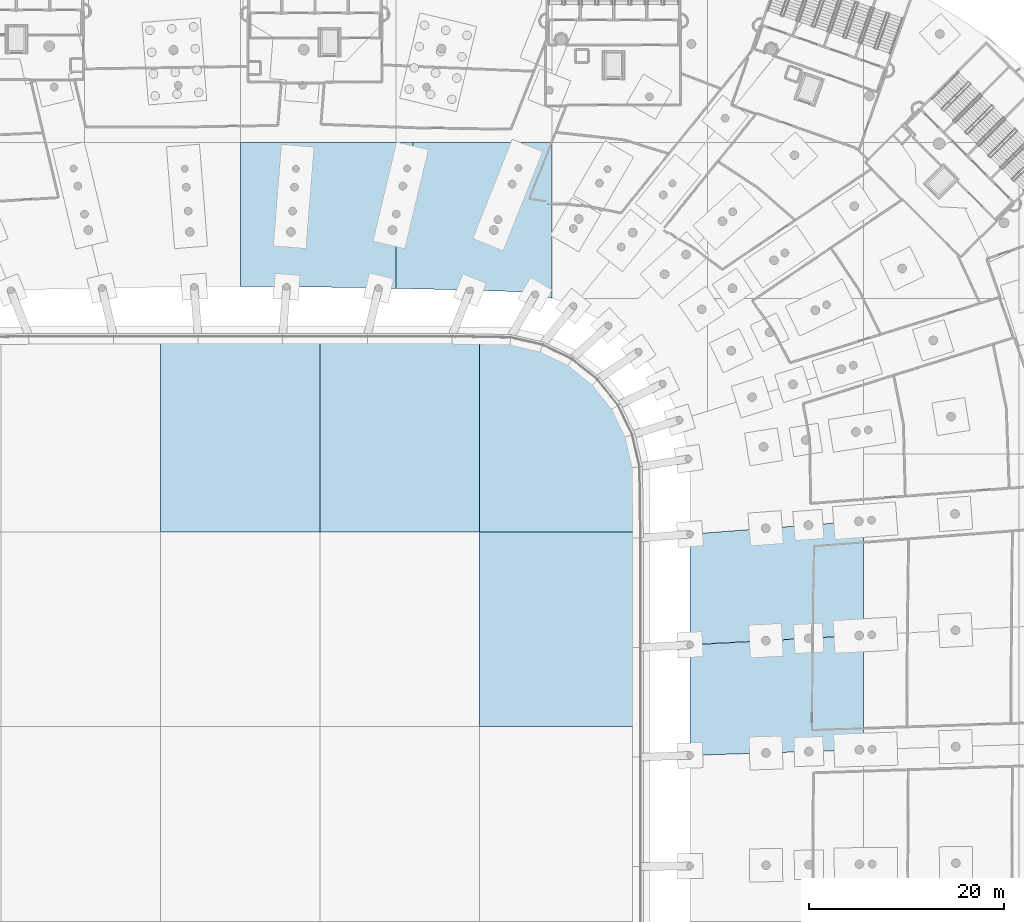
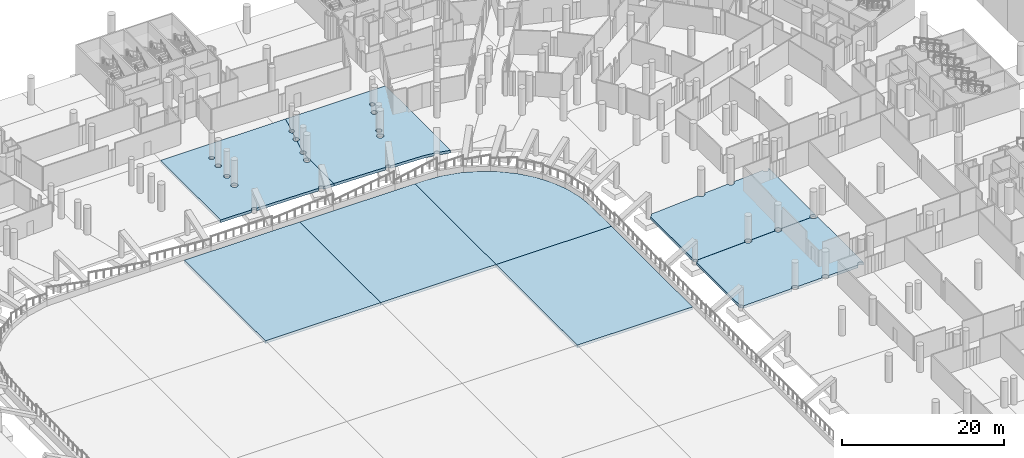
# One storey, part 30 of 142: 8 slabs.
"""IFC4 building model written with IfcOpenShell, lengths in metres."""

from ifc_helpers import new_model, si_unit, direction, frame, origin, place, context, subcontext, project, spatial, polyline, outline, extrude, material, layer, layer_set, type_object, element, save


model = new_model("IFC4")

# Units and contexts
model_context = context("Model", 3, precision=1e-05, world=origin(), true_north=direction((0.0, 1.0)))
body_context = subcontext(model_context, "Body", "Model", "MODEL_VIEW")
ifc_project = project(units=[si_unit("LENGTHUNIT", "METRE"), si_unit("AREAUNIT", "SQUARE_METRE"), si_unit("VOLUMEUNIT", "CUBIC_METRE"), si_unit("PLANEANGLEUNIT", "RADIAN"), si_unit("MASSUNIT", "GRAM", prefix="KILO")], contexts=[model_context])

# Site, building, storey
site_placement = place(None, origin())
site = spatial("IfcSite", under=ifc_project, at=site_placement, CompositionType="ELEMENT")
building_placement = place(site_placement, origin())
building = spatial("IfcBuilding", under=site, at=building_placement, Name="Meseta Stadium", CompositionType="ELEMENT")
storey_placement = place(building_placement, frame((0.0, 0.0, -4.0)))
storey = spatial("IfcBuildingStorey", under=building, at=storey_placement, Name="B1", CompositionType="ELEMENT", Elevation=-4.0)

# Slabs
ifc_material_1 = material(Name="Concrete C30/37", Category="concrete")
ifc_layer_1 = layer(ifc_material_1, 0.39990234375)
ifc_layer_set_1 = layer_set([ifc_layer_1], Name="Base slab 400")
slab_type_1 = type_object("IfcSlabType", Name="Base slab 400", PredefinedType="BASESLAB", material=ifc_layer_set_1)
slab_1_placement = place(storey_placement, frame((0.0, 0.0, -0.39990234375)))
element("IfcSlab", 1, at=slab_1_placement, inside=storey, type_object=slab_type_1, Name="Base slab B1 sector 00 panel 03", PredefinedType="BASESLAB", context=body_context, shape_type="SweptSolid", body=[
    extrude(outline(polyline([(46.44580078125, 17.294677734375), (46.489501953125, 17.241455078125), (46.522216796875, 17.180419921875), (46.5419921875, 17.114501953125), (46.5478515625, 17.0576171875), (53.542236328125, 17.28759765625), (53.540771484375, 17.302490234375), (53.549560546875, 17.390625), (53.5751953125, 17.475341796875), (53.616943359375, 17.5537109375), (53.673095703125, 17.6220703125), (53.74169921875, 17.678466796875), (53.81982421875, 17.72021484375), (53.90478515625, 17.745849609375), (53.992919921875, 17.754638671875), (54.081298828125, 17.745849609375), (54.166015625, 17.72021484375), (54.244140625, 17.678466796875), (54.312744140625, 17.6220703125), (54.368896484375, 17.5537109375), (54.41064453125, 17.475341796875), (54.4365234375, 17.390625), (54.443603515625, 17.317138671875), (57.93994140625, 17.43212890625), (57.9384765625, 17.447021484375), (57.947021484375, 17.535400390625), (57.972900390625, 17.6201171875), (58.0146484375, 17.6982421875), (58.07080078125, 17.766845703125), (58.139404296875, 17.822998046875), (58.217529296875, 17.86474609375), (58.302490234375, 17.890380859375), (58.390625, 17.899169921875), (58.478759765625, 17.890380859375), (58.563720703125, 17.86474609375), (58.641845703125, 17.822998046875), (58.710205078125, 17.766845703125), (58.7666015625, 17.6982421875), (58.808349609375, 17.6201171875), (58.833984375, 17.535400390625), (58.84130859375, 17.4619140625), (63.13720703125, 17.603271484375), (63.135498046875, 17.617919921875), (63.144287109375, 17.706298828125), (63.169921875, 17.791015625), (63.2119140625, 17.869140625), (63.26806640625, 17.937744140625), (63.336669921875, 17.993896484375), (63.414794921875, 18.035888671875), (63.49951171875, 18.0615234375), (63.587890625, 18.0703125), (63.676025390625, 18.0615234375), (63.7607421875, 18.035888671875), (63.839111328125, 17.993896484375), (63.907470703125, 17.937744140625), (63.9638671875, 17.869140625), (64.0, 17.801513671875), (64.0, 29.2421875), (63.98388671875, 29.189208984375), (63.942138671875, 29.111083984375), (63.8857421875, 29.04248046875), (63.8173828125, 28.986083984375), (63.7392578125, 28.9443359375), (63.654296875, 28.918701171875), (63.566162109375, 28.909912109375), (63.477783203125, 28.918701171875), (63.39306640625, 28.9443359375), (63.31494140625, 28.986083984375), (63.246337890625, 29.04248046875), (63.190185546875, 29.111083984375), (63.1484375, 29.189208984375), (63.12255859375, 29.27392578125), (63.1171875, 29.32763671875), (58.82470703125, 29.09228515625), (58.826171875, 29.077392578125), (58.8173828125, 28.9892578125), (58.791748046875, 28.904541015625), (58.75, 28.826416015625), (58.693603515625, 28.7578125), (58.625, 28.701416015625), (58.546875, 28.659912109375), (58.462158203125, 28.634033203125), (58.373779296875, 28.625244140625), (58.28564453125, 28.634033203125), (58.200927734375, 28.659912109375), (58.122802734375, 28.701416015625), (58.05419921875, 28.7578125), (57.997802734375, 28.826416015625), (57.956298828125, 28.904541015625), (57.930419921875, 28.9892578125), (57.925048828125, 29.04296875), (54.43115234375, 28.851318359375), (54.4326171875, 28.836669921875), (54.424072265625, 28.748291015625), (54.398193359375, 28.66357421875), (54.3564453125, 28.58544921875), (54.30029296875, 28.516845703125), (54.231689453125, 28.460693359375), (54.153564453125, 28.4189453125), (54.068603515625, 28.393310546875), (53.98046875, 28.384521484375), (53.892333984375, 28.393310546875), (53.8076171875, 28.4189453125), (53.729248046875, 28.460693359375), (53.660888671875, 28.516845703125), (53.6044921875, 28.58544921875), (53.562744140625, 28.66357421875), (53.537109375, 28.748291015625), (53.53173828125, 28.802001953125), (46.54296875, 28.4189453125), (46.5439453125, 28.40966796875), (46.537109375, 28.341064453125), (46.51708984375, 28.275146484375), (46.484619140625, 28.21435546875), (46.44091796875, 28.160888671875), (46.3876953125, 28.1171875), (46.326904296875, 28.084716796875), (46.2607421875, 28.064697265625), (46.1923828125, 28.05810546875), (46.197021484375, 17.397705078125), (46.265869140625, 17.390869140625), (46.331787109375, 17.370849609375), (46.392578125, 17.33837890625), (46.44580078125, 17.294677734375)])), origin(), (0.0, 0.0, 1.0), 0.39990234375),
])
slab_2_placement = place(storey_placement, frame((0.0, 0.0, -0.39990234375)))
element("IfcSlab", 2, at=slab_2_placement, inside=storey, type_object=slab_type_1, Name="Base slab B1 sector 07 panel 03", PredefinedType="BASESLAB", context=body_context, shape_type="SweptSolid", body=[
    extrude(outline(polyline([(46.2607421875, 28.754638671875), (46.326904296875, 28.734619140625), (46.3876953125, 28.7021484375), (46.44091796875, 28.658203125), (46.484619140625, 28.60498046875), (46.51708984375, 28.544189453125), (46.537109375, 28.478271484375), (46.541015625, 28.438720703125), (53.52978515625, 28.822021484375), (53.5283203125, 28.836669921875), (53.537109375, 28.9248046875), (53.562744140625, 29.009765625), (53.6044921875, 29.087890625), (53.660888671875, 29.156494140625), (53.729248046875, 29.212646484375), (53.8076171875, 29.25439453125), (53.892333984375, 29.280029296875), (53.98046875, 29.288818359375), (54.068603515625, 29.280029296875), (54.153564453125, 29.25439453125), (54.231689453125, 29.212646484375), (54.30029296875, 29.156494140625), (54.3564453125, 29.087890625), (54.398193359375, 29.009765625), (54.424072265625, 28.9248046875), (54.42919921875, 28.871337890625), (57.923095703125, 29.062744140625), (57.921630859375, 29.077392578125), (57.930419921875, 29.165771484375), (57.956298828125, 29.25048828125), (57.997802734375, 29.32861328125), (58.05419921875, 29.397216796875), (58.122802734375, 29.45361328125), (58.200927734375, 29.495361328125), (58.28564453125, 29.52099609375), (58.373779296875, 29.52978515625), (58.462158203125, 29.52099609375), (58.546875, 29.495361328125), (58.625, 29.45361328125), (58.693603515625, 29.397216796875), (58.75, 29.32861328125), (58.791748046875, 29.25048828125), (58.8173828125, 29.165771484375), (58.82275390625, 29.112060546875), (63.115478515625, 29.347412109375), (63.114013671875, 29.3623046875), (63.12255859375, 29.450439453125), (63.1484375, 29.53515625), (63.190185546875, 29.61328125), (63.246337890625, 29.681884765625), (63.31494140625, 29.738037109375), (63.39306640625, 29.77978515625), (63.477783203125, 29.8056640625), (63.566162109375, 29.814453125), (63.654296875, 29.8056640625), (63.7392578125, 29.77978515625), (63.8173828125, 29.738037109375), (63.8857421875, 29.681884765625), (63.942138671875, 29.61328125), (63.98388671875, 29.53515625), (64.0, 29.482177734375), (64.0, 41.140380859375), (63.982421875, 41.138916015625), (63.98583984375, 41.1044921875), (63.977294921875, 41.016357421875), (63.951416015625, 40.931396484375), (63.90966796875, 40.853271484375), (63.853515625, 40.784912109375), (63.784912109375, 40.728515625), (63.706787109375, 40.686767578125), (63.621826171875, 40.6611328125), (63.53369140625, 40.65234375), (63.445556640625, 40.6611328125), (63.360595703125, 40.686767578125), (63.282470703125, 40.728515625), (63.214111328125, 40.784912109375), (63.15771484375, 40.853271484375), (63.115966796875, 40.931396484375), (63.090087890625, 41.016357421875), (63.0849609375, 41.070068359375), (58.797607421875, 40.7412109375), (58.801025390625, 40.70654296875), (58.79248046875, 40.618408203125), (58.7666015625, 40.53369140625), (58.724853515625, 40.455322265625), (58.668701171875, 40.386962890625), (58.60009765625, 40.33056640625), (58.52197265625, 40.288818359375), (58.437255859375, 40.26318359375), (58.34912109375, 40.25439453125), (58.2607421875, 40.26318359375), (58.17578125, 40.288818359375), (58.097900390625, 40.33056640625), (58.029296875, 40.386962890625), (57.972900390625, 40.455322265625), (57.93115234375, 40.53369140625), (57.905517578125, 40.618408203125), (57.900146484375, 40.672119140625), (54.41064453125, 40.404296875), (54.4140625, 40.369873046875), (54.405517578125, 40.28173828125), (54.379638671875, 40.19677734375), (54.337890625, 40.11865234375), (54.281494140625, 40.050048828125), (54.213134765625, 39.993896484375), (54.135009765625, 39.9521484375), (54.050048828125, 39.926513671875), (53.9619140625, 39.917724609375), (53.873779296875, 39.926513671875), (53.788818359375, 39.9521484375), (53.710693359375, 39.993896484375), (53.64208984375, 40.050048828125), (53.5859375, 40.11865234375), (53.544189453125, 40.19677734375), (53.518310546875, 40.28173828125), (53.51318359375, 40.33544921875), (46.53369140625, 39.7998046875), (46.536376953125, 39.77294921875), (46.52978515625, 39.704345703125), (46.509765625, 39.638427734375), (46.477294921875, 39.57763671875), (46.433349609375, 39.5244140625), (46.380126953125, 39.48046875), (46.3193359375, 39.447998046875), (46.25341796875, 39.427978515625), (46.18505859375, 39.42138671875), (46.19189453125, 28.76123046875), (46.2607421875, 28.754638671875)])), origin(), (0.0, 0.0, 1.0), 0.39990234375),
])
slab_3_placement = place(storey_placement, frame((0.0, 0.0, -0.39990234375)))
element("IfcSlab", 3, at=slab_3_placement, inside=storey, type_object=slab_type_1, Name="Base slab B1 sector 14 panel 09", PredefinedType="BASESLAB", context=body_context, shape_type="SweptSolid", body=[
    extrude(outline(polyline([(3.16357421875, 65.192626953125), (4.393310546875, 65.185791015625), (4.39990234375, 65.252197265625), (4.419921875, 65.318359375), (4.452392578125, 65.379150390625), (4.49609375, 65.432373046875), (4.54931640625, 65.47607421875), (4.610107421875, 65.508544921875), (4.676025390625, 65.528564453125), (4.74462890625, 65.535400390625), (4.8134765625, 65.528564453125), (4.87939453125, 65.508544921875), (4.940185546875, 65.47607421875), (4.993408203125, 65.432373046875), (5.037109375, 65.379150390625), (5.069580078125, 65.318359375), (5.089599609375, 65.252197265625), (5.09619140625, 65.180908203125), (6.324951171875, 65.171142578125), (7.904052734375, 65.155029296875), (9.48193359375, 65.1357421875), (11.05810546875, 65.113037109375), (12.632080078125, 65.08740234375), (13.853515625, 65.06494140625), (13.859619140625, 65.127197265625), (13.87939453125, 65.193115234375), (13.912109375, 65.25390625), (13.955810546875, 65.307373046875), (14.009033203125, 65.35107421875), (14.06982421875, 65.383544921875), (14.1357421875, 65.403564453125), (14.204345703125, 65.410400390625), (14.27294921875, 65.403564453125), (14.339111328125, 65.383544921875), (14.39990234375, 65.35107421875), (14.453125, 65.307373046875), (14.496826171875, 65.25390625), (14.529296875, 65.193115234375), (14.54931640625, 65.127197265625), (14.55615234375, 65.05859375), (14.555419921875, 65.051513671875), (16.0, 65.022216796875), (16.0, 70.762939453125), (15.9970703125, 70.757568359375), (15.94091796875, 70.689208984375), (15.872314453125, 70.6328125), (15.794189453125, 70.591064453125), (15.70947265625, 70.5654296875), (15.62109375, 70.556640625), (15.532958984375, 70.5654296875), (15.447998046875, 70.591064453125), (15.369873046875, 70.6328125), (15.301513671875, 70.689208984375), (15.2451171875, 70.757568359375), (15.203369140625, 70.835693359375), (15.177734375, 70.920654296875), (15.1689453125, 71.0087890625), (15.177734375, 71.09716796875), (15.203369140625, 71.181884765625), (15.2451171875, 71.260009765625), (15.301513671875, 71.32861328125), (15.369873046875, 71.384765625), (15.447998046875, 71.426513671875), (15.532958984375, 71.452392578125), (15.62109375, 71.4609375), (15.70947265625, 71.452392578125), (15.794189453125, 71.426513671875), (15.872314453125, 71.384765625), (15.94091796875, 71.32861328125), (15.9970703125, 71.260009765625), (16.0, 71.254638671875), (16.0, 72.24560546875), (15.9326171875, 72.252197265625), (15.857421875, 72.275146484375), (15.787841796875, 72.312255859375), (15.726806640625, 72.3623046875), (15.677001953125, 72.423095703125), (15.6396484375, 72.49267578125), (15.616943359375, 72.568115234375), (15.609130859375, 72.646484375), (15.616943359375, 72.724853515625), (15.6396484375, 72.80029296875), (15.677001953125, 72.869873046875), (15.726806640625, 72.9306640625), (15.787841796875, 72.980712890625), (15.857421875, 73.017822265625), (15.9326171875, 73.040771484375), (16.010986328125, 73.04833984375), (16.089599609375, 73.040771484375), (16.10400390625, 73.036376953125), (16.604736328125, 75.1396484375), (16.543701171875, 75.158203125), (16.47412109375, 75.1953125), (16.413330078125, 75.2451171875), (16.36328125, 75.30615234375), (16.326171875, 75.37548828125), (16.30322265625, 75.450927734375), (16.295654296875, 75.529296875), (16.30322265625, 75.60791015625), (16.326171875, 75.683349609375), (16.36328125, 75.752685546875), (16.413330078125, 75.813720703125), (16.47412109375, 75.863525390625), (16.543701171875, 75.90087890625), (16.619140625, 75.923583984375), (16.697509765625, 75.931396484375), (16.77587890625, 75.923583984375), (16.790283203125, 75.919189453125), (17.04541015625, 76.990966796875), (16.9921875, 77.007080078125), (16.931396484375, 77.039794921875), (16.8779296875, 77.08349609375), (16.834228515625, 77.13671875), (16.8017578125, 77.197509765625), (16.78173828125, 77.263427734375), (16.77490234375, 77.33203125), (16.78173828125, 77.400634765625), (16.8017578125, 77.466796875), (16.834228515625, 77.527587890625), (16.8779296875, 77.580810546875), (16.931396484375, 77.62451171875), (16.9921875, 77.656982421875), (17.05810546875, 77.677001953125), (17.126708984375, 77.683837890625), (17.1953125, 77.677001953125), (17.2080078125, 77.673095703125), (17.761962890625, 80.0), (0.0, 80.0), (0.0, 65.199951171875), (1.58203125, 65.1982421875), (3.16357421875, 65.192626953125)]), holes=[polyline([(5.36181640625, 77.372314453125), (5.381591796875, 77.438232421875), (5.414306640625, 77.4990234375), (5.4580078125, 77.552490234375), (5.51123046875, 77.59619140625), (5.572021484375, 77.628662109375), (5.637939453125, 77.648681640625), (5.70654296875, 77.655517578125), (5.775390625, 77.648681640625), (5.84130859375, 77.628662109375), (5.902099609375, 77.59619140625), (5.955322265625, 77.552490234375), (5.9990234375, 77.4990234375), (6.031494140625, 77.438232421875), (6.051513671875, 77.372314453125), (6.058349609375, 77.3037109375), (6.051513671875, 77.235107421875), (6.031494140625, 77.169189453125), (5.9990234375, 77.1083984375), (5.955322265625, 77.054931640625), (5.902099609375, 77.01123046875), (5.84130859375, 76.978759765625), (5.775390625, 76.958740234375), (5.70654296875, 76.951904296875), (5.637939453125, 76.958740234375), (5.572021484375, 76.978759765625), (5.51123046875, 77.01123046875), (5.4580078125, 77.054931640625), (5.414306640625, 77.1083984375), (5.381591796875, 77.169189453125), (5.36181640625, 77.235107421875), (5.35498046875, 77.3037109375), (5.36181640625, 77.372314453125)]), polyline([(5.16259765625, 75.493408203125), (5.185302734375, 75.568603515625), (5.222412109375, 75.63818359375), (5.2724609375, 75.69921875), (5.33349609375, 75.7490234375), (5.40283203125, 75.786376953125), (5.478271484375, 75.80908203125), (5.556640625, 75.81689453125), (5.63525390625, 75.80908203125), (5.710693359375, 75.786376953125), (5.780029296875, 75.7490234375), (5.841064453125, 75.69921875), (5.890869140625, 75.63818359375), (5.927978515625, 75.568603515625), (5.950927734375, 75.493408203125), (5.958740234375, 75.414794921875), (5.950927734375, 75.33642578125), (5.927978515625, 75.260986328125), (5.890869140625, 75.191650390625), (5.841064453125, 75.130615234375), (5.780029296875, 75.080810546875), (5.710693359375, 75.043701171875), (5.63525390625, 75.020751953125), (5.556640625, 75.012939453125), (5.478271484375, 75.020751953125), (5.40283203125, 75.043701171875), (5.33349609375, 75.080810546875), (5.2724609375, 75.130615234375), (5.222412109375, 75.191650390625), (5.185302734375, 75.260986328125), (5.16259765625, 75.33642578125), (5.15478515625, 75.414794921875), (5.16259765625, 75.493408203125)]), polyline([(4.967529296875, 73.03759765625), (4.990478515625, 73.113037109375), (5.027587890625, 73.1826171875), (5.07763671875, 73.243408203125), (5.138427734375, 73.29345703125), (5.2080078125, 73.33056640625), (5.283447265625, 73.353515625), (5.36181640625, 73.361083984375), (5.440185546875, 73.353515625), (5.515625, 73.33056640625), (5.585205078125, 73.29345703125), (5.64599609375, 73.243408203125), (5.696044921875, 73.1826171875), (5.733154296875, 73.113037109375), (5.756103515625, 73.03759765625), (5.763916015625, 72.959228515625), (5.756103515625, 72.880859375), (5.733154296875, 72.805419921875), (5.696044921875, 72.73583984375), (5.64599609375, 72.675048828125), (5.585205078125, 72.625), (5.515625, 72.587890625), (5.440185546875, 72.56494140625), (5.36181640625, 72.557373046875), (5.283447265625, 72.56494140625), (5.2080078125, 72.587890625), (5.138427734375, 72.625), (5.07763671875, 72.675048828125), (5.027587890625, 72.73583984375), (4.990478515625, 72.805419921875), (4.967529296875, 72.880859375), (4.9599609375, 72.959228515625), (4.967529296875, 73.03759765625)]), polyline([(4.748779296875, 70.912353515625), (4.774658203125, 70.9970703125), (4.81640625, 71.0751953125), (4.87255859375, 71.143798828125), (4.941162109375, 71.199951171875), (5.019287109375, 71.24169921875), (5.104248046875, 71.267578125), (5.1923828125, 71.2763671875), (5.280517578125, 71.267578125), (5.365478515625, 71.24169921875), (5.443603515625, 71.199951171875), (5.51220703125, 71.143798828125), (5.568359375, 71.0751953125), (5.610107421875, 70.9970703125), (5.635986328125, 70.912353515625), (5.64453125, 70.82421875), (5.635986328125, 70.73583984375), (5.610107421875, 70.65087890625), (5.568359375, 70.572998046875), (5.51220703125, 70.50439453125), (5.443603515625, 70.447998046875), (5.365478515625, 70.40625), (5.280517578125, 70.380615234375), (5.1923828125, 70.371826171875), (5.104248046875, 70.380615234375), (5.019287109375, 70.40625), (4.941162109375, 70.447998046875), (4.87255859375, 70.50439453125), (4.81640625, 70.572998046875), (4.774658203125, 70.65087890625), (4.748779296875, 70.73583984375), (4.740234375, 70.82421875), (4.748779296875, 70.912353515625)])]), origin(), (0.0, 0.0, 1.0), 0.39990234375),
])
slab_4_placement = place(storey_placement, frame((0.0, 0.0, -0.39990234375)))
element("IfcSlab", 4, at=slab_4_placement, inside=storey, type_object=slab_type_1, Name="Base slab B1 sector 14 panel 12", PredefinedType="BASESLAB", context=body_context, shape_type="SweptSolid", body=[
    extrude(outline(polyline([(31.62255859375, 64.098388671875), (32.0, 63.990234375), (32.0, 80.0), (17.761962890625, 80.0), (17.2080078125, 77.673095703125), (17.26123046875, 77.656982421875), (17.322021484375, 77.62451171875), (17.37548828125, 77.580810546875), (17.419189453125, 77.527587890625), (17.45166015625, 77.466796875), (17.4716796875, 77.400634765625), (17.478515625, 77.33203125), (17.4716796875, 77.263427734375), (17.45166015625, 77.197509765625), (17.419189453125, 77.13671875), (17.37548828125, 77.08349609375), (17.322021484375, 77.039794921875), (17.26123046875, 77.007080078125), (17.1953125, 76.9873046875), (17.126708984375, 76.98046875), (17.05810546875, 76.9873046875), (17.04541015625, 76.990966796875), (16.790283203125, 75.919189453125), (16.851318359375, 75.90087890625), (16.9208984375, 75.863525390625), (16.981689453125, 75.813720703125), (17.03173828125, 75.752685546875), (17.06884765625, 75.683349609375), (17.091796875, 75.60791015625), (17.099365234375, 75.529296875), (17.091796875, 75.450927734375), (17.06884765625, 75.37548828125), (17.03173828125, 75.30615234375), (16.981689453125, 75.2451171875), (16.9208984375, 75.1953125), (16.851318359375, 75.158203125), (16.77587890625, 75.13525390625), (16.697509765625, 75.12744140625), (16.619140625, 75.13525390625), (16.604736328125, 75.1396484375), (16.10400390625, 73.036376953125), (16.164794921875, 73.017822265625), (16.234375, 72.980712890625), (16.29541015625, 72.9306640625), (16.34521484375, 72.869873046875), (16.38232421875, 72.80029296875), (16.4052734375, 72.724853515625), (16.4130859375, 72.646484375), (16.4052734375, 72.568115234375), (16.38232421875, 72.49267578125), (16.34521484375, 72.423095703125), (16.29541015625, 72.3623046875), (16.234375, 72.312255859375), (16.164794921875, 72.275146484375), (16.089599609375, 72.252197265625), (16.010986328125, 72.244384765625), (16.0, 72.24560546875), (16.0, 71.254638671875), (16.038818359375, 71.181884765625), (16.064697265625, 71.09716796875), (16.0732421875, 71.0087890625), (16.064697265625, 70.920654296875), (16.038818359375, 70.835693359375), (16.0, 70.762939453125), (16.0, 65.022216796875), (17.341796875, 64.992919921875), (18.90673828125, 64.956298828125), (20.468994140625, 64.917236328125), (22.0283203125, 64.876220703125), (23.23388671875, 64.843017578125), (23.23974609375, 64.902099609375), (23.259765625, 64.968017578125), (23.292236328125, 65.02880859375), (23.3359375, 65.08203125), (23.389404296875, 65.125732421875), (23.4501953125, 65.158203125), (23.51611328125, 65.17822265625), (23.584716796875, 65.18505859375), (23.6533203125, 65.17822265625), (23.71923828125, 65.158203125), (23.780029296875, 65.125732421875), (23.833251953125, 65.08203125), (23.877197265625, 65.02880859375), (23.90966796875, 64.968017578125), (23.9296875, 64.902099609375), (23.936279296875, 64.83349609375), (23.935302734375, 64.8232421875), (26.6884765625, 64.742431640625), (28.235595703125, 64.69482421875), (28.92138671875, 64.622802734375), (29.603515625, 64.527099609375), (29.93603515625, 64.468505859375), (29.936767578125, 64.476318359375), (29.956787109375, 64.542236328125), (29.9892578125, 64.60302734375), (30.033203125, 64.656494140625), (30.08642578125, 64.7001953125), (30.147216796875, 64.732666015625), (30.213134765625, 64.752685546875), (30.28173828125, 64.759521484375), (30.350341796875, 64.752685546875), (30.416259765625, 64.732666015625), (30.47705078125, 64.7001953125), (30.530517578125, 64.656494140625), (30.57421875, 64.60302734375), (30.606689453125, 64.542236328125), (30.626708984375, 64.476318359375), (30.63330078125, 64.40771484375), (30.626708984375, 64.339111328125), (30.62548828125, 64.334716796875), (30.955078125, 64.264892578125), (31.62255859375, 64.098388671875)]), holes=[polyline([(28.316162109375, 77.6318359375), (28.369384765625, 77.675537109375), (28.43017578125, 77.7080078125), (28.49609375, 77.72802734375), (28.564697265625, 77.73486328125), (28.63330078125, 77.72802734375), (28.69921875, 77.7080078125), (28.76025390625, 77.675537109375), (28.8134765625, 77.6318359375), (28.857177734375, 77.57861328125), (28.8896484375, 77.517822265625), (28.90966796875, 77.451904296875), (28.91650390625, 77.38330078125), (28.90966796875, 77.314697265625), (28.8896484375, 77.24853515625), (28.857177734375, 77.187744140625), (28.8134765625, 77.134521484375), (28.76025390625, 77.0908203125), (28.69921875, 77.058349609375), (28.63330078125, 77.038330078125), (28.564697265625, 77.031494140625), (28.49609375, 77.038330078125), (28.43017578125, 77.058349609375), (28.369384765625, 77.0908203125), (28.316162109375, 77.134521484375), (28.272216796875, 77.187744140625), (28.23974609375, 77.24853515625), (28.2197265625, 77.314697265625), (28.213134765625, 77.38330078125), (28.2197265625, 77.451904296875), (28.23974609375, 77.517822265625), (28.272216796875, 77.57861328125), (28.316162109375, 77.6318359375)]), polyline([(27.626708984375, 76.019775390625), (27.687744140625, 76.06982421875), (27.757080078125, 76.10693359375), (27.83251953125, 76.1298828125), (27.910888671875, 76.1376953125), (27.989501953125, 76.1298828125), (28.064697265625, 76.10693359375), (28.13427734375, 76.06982421875), (28.1953125, 76.019775390625), (28.2451171875, 75.958984375), (28.2822265625, 75.889404296875), (28.30517578125, 75.81396484375), (28.31298828125, 75.735595703125), (28.30517578125, 75.6572265625), (28.2822265625, 75.581787109375), (28.2451171875, 75.51220703125), (28.1953125, 75.451416015625), (28.13427734375, 75.4013671875), (28.064697265625, 75.3642578125), (27.989501953125, 75.34130859375), (27.910888671875, 75.333740234375), (27.83251953125, 75.34130859375), (27.757080078125, 75.3642578125), (27.687744140625, 75.4013671875), (27.626708984375, 75.451416015625), (27.576904296875, 75.51220703125), (27.53955078125, 75.581787109375), (27.5166015625, 75.6572265625), (27.509033203125, 75.735595703125), (27.5166015625, 75.81396484375), (27.53955078125, 75.889404296875), (27.576904296875, 75.958984375), (27.626708984375, 76.019775390625)]), polyline([(26.177490234375, 72.36767578125), (26.23828125, 72.41748046875), (26.307861328125, 72.45458984375), (26.38330078125, 72.4775390625), (26.461669921875, 72.4853515625), (26.5400390625, 72.4775390625), (26.615478515625, 72.45458984375), (26.68505859375, 72.41748046875), (26.745849609375, 72.36767578125), (26.7958984375, 72.306640625), (26.8330078125, 72.2373046875), (26.85595703125, 72.161865234375), (26.863525390625, 72.08349609375), (26.85595703125, 72.0048828125), (26.8330078125, 71.9296875), (26.7958984375, 71.860107421875), (26.745849609375, 71.79931640625), (26.68505859375, 71.749267578125), (26.615478515625, 71.7119140625), (26.5400390625, 71.689208984375), (26.461669921875, 71.681396484375), (26.38330078125, 71.689208984375), (26.307861328125, 71.7119140625), (26.23828125, 71.749267578125), (26.177490234375, 71.79931640625), (26.12744140625, 71.860107421875), (26.09033203125, 71.9296875), (26.0673828125, 72.0048828125), (26.059814453125, 72.08349609375), (26.0673828125, 72.161865234375), (26.09033203125, 72.2373046875), (26.12744140625, 72.306640625), (26.177490234375, 72.36767578125)]), polyline([(25.7177734375, 71.334228515625), (25.786376953125, 71.390380859375), (25.864501953125, 71.43212890625), (25.94921875, 71.4580078125), (26.03759765625, 71.466552734375), (26.125732421875, 71.4580078125), (26.21044921875, 71.43212890625), (26.288818359375, 71.390380859375), (26.357177734375, 71.334228515625), (26.41357421875, 71.265625), (26.455078125, 71.1875), (26.48095703125, 71.102783203125), (26.48974609375, 71.014404296875), (26.48095703125, 70.92626953125), (26.455078125, 70.84130859375), (26.41357421875, 70.76318359375), (26.357177734375, 70.694580078125), (26.288818359375, 70.638427734375), (26.21044921875, 70.5966796875), (26.125732421875, 70.571044921875), (26.03759765625, 70.562255859375), (25.94921875, 70.571044921875), (25.864501953125, 70.5966796875), (25.786376953125, 70.638427734375), (25.7177734375, 70.694580078125), (25.66162109375, 70.76318359375), (25.61962890625, 70.84130859375), (25.593994140625, 70.92626953125), (25.585205078125, 71.014404296875), (25.593994140625, 71.102783203125), (25.61962890625, 71.1875), (25.66162109375, 71.265625), (25.7177734375, 71.334228515625)])]), origin(), (0.0, 0.0, 1.0), 0.39990234375),
])
ifc_material_2 = material(Name="Natural turf on sand and drainage layers")
ifc_layer_2 = layer(ifc_material_2, 0.39990234375)
ifc_layer_set_2 = layer_set([ifc_layer_2], Name="Pitch turf 400")
slab_type_2 = type_object("IfcSlabType", Name="Pitch turf 400", PredefinedType="BASESLAB", material=ifc_layer_set_2)
slab_5_placement = place(storey_placement, frame((0.0, 0.0, -0.39990234375)))
element("IfcSlab", 5, at=slab_5_placement, inside=storey, type_object=slab_type_2, Name="Playing pitch module 25", PredefinedType="BASESLAB", context=body_context, shape_type="SweptSolid", body=[
    extrude(outline(polyline([(40.97998046875, 39.98681640625), (24.587890625, 39.98681640625), (24.587890625, 19.993408203125), (40.97998046875, 19.993408203125), (40.97998046875, 39.98681640625)])), origin(), (0.0, 0.0, 1.0), 0.39990234375),
])
slab_6_placement = place(storey_placement, frame((0.0, 0.0, -0.39990234375)))
element("IfcSlab", 6, at=slab_6_placement, inside=storey, type_object=slab_type_2, Name="Playing pitch module 27", PredefinedType="BASESLAB", context=body_context, shape_type="SweptSolid", body=[
    extrude(outline(polyline([(40.97998046875, 44.999267578125), (40.79541015625, 47.343505859375), (40.246826171875, 49.629150390625), (39.34716796875, 51.80078125), (38.118896484375, 53.804931640625), (36.59228515625, 55.59228515625), (34.804931640625, 57.118896484375), (32.80078125, 58.34716796875), (30.629150390625, 59.246826171875), (28.343505859375, 59.79541015625), (25.999267578125, 59.97998046875), (24.587890625, 59.97998046875), (24.587890625, 39.98681640625), (40.97998046875, 39.98681640625), (40.97998046875, 44.999267578125)])), origin(), (0.0, 0.0, 1.0), 0.39990234375),
])
slab_7_placement = place(storey_placement, frame((0.0, 0.0, -0.39990234375)))
element("IfcSlab", 7, at=slab_7_placement, inside=storey, type_object=slab_type_2, Name="Playing pitch module 29", PredefinedType="BASESLAB", context=body_context, shape_type="SweptSolid", body=[
    extrude(outline(polyline([(8.196044921875, 59.97998046875), (-8.196044921875, 59.97998046875), (-8.196044921875, 39.98681640625), (8.196044921875, 39.98681640625), (8.196044921875, 59.97998046875)])), origin(), (0.0, 0.0, 1.0), 0.39990234375),
])
slab_8_placement = place(storey_placement, frame((0.0, 0.0, -0.39990234375)))
element("IfcSlab", 8, at=slab_8_placement, inside=storey, type_object=slab_type_2, Name="Playing pitch module 30", PredefinedType="BASESLAB", context=body_context, shape_type="SweptSolid", body=[
    extrude(outline(polyline([(24.587890625, 59.97998046875), (8.196044921875, 59.97998046875), (8.196044921875, 39.98681640625), (24.587890625, 39.98681640625), (24.587890625, 59.97998046875)])), origin(), (0.0, 0.0, 1.0), 0.39990234375),
])

save(model, "model.ifc")
